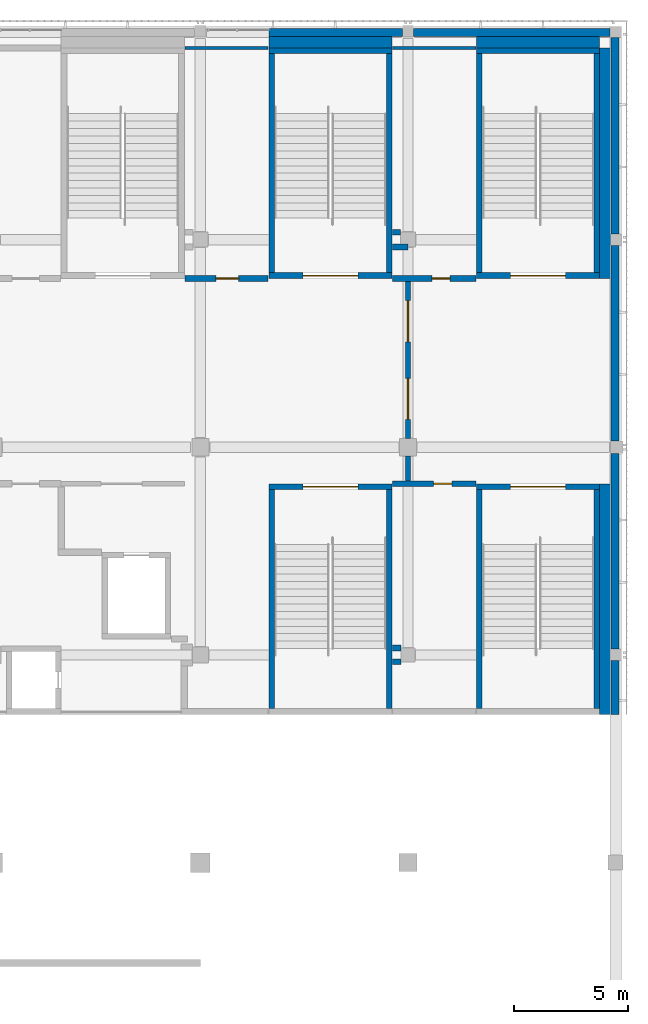
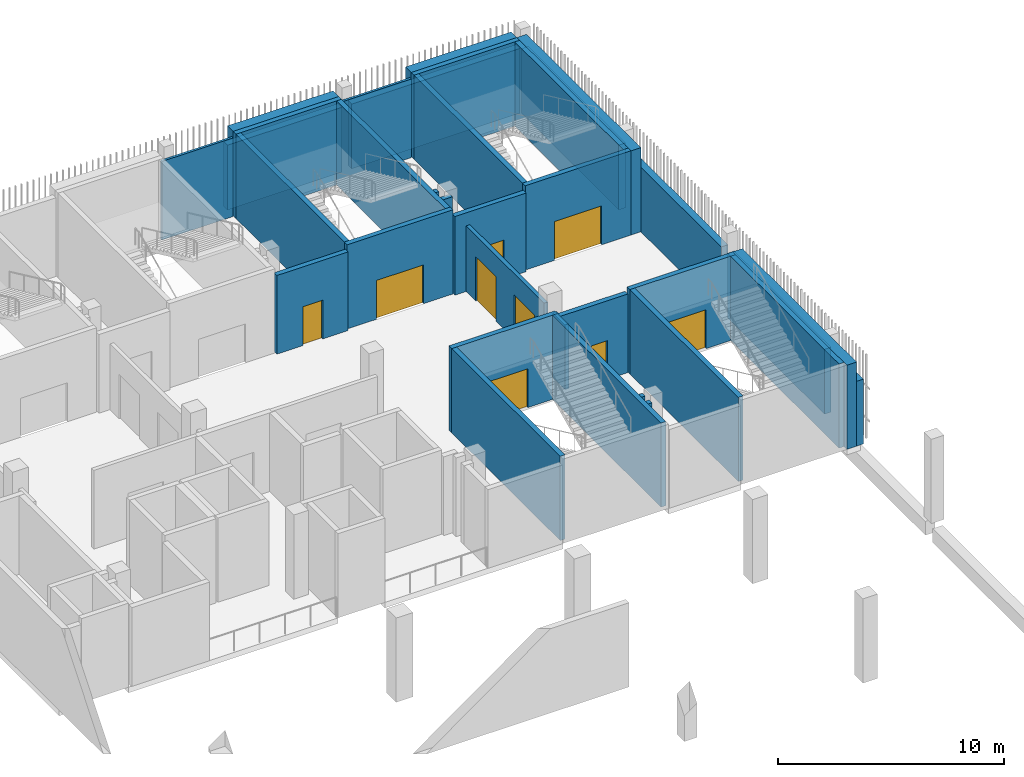
# One storey, part 68 of 104: 35 walls, 9 doors, 9 openings.
"""IFC4 building model written with IfcOpenShell, lengths in metres."""

from ifc_helpers import new_model, si_unit, direction, frame, frame_2d, origin, place, context, subcontext, project, spatial, rectangle, extrude, material, layer, layer_set, type_object, element, fill, save


model = new_model("IFC4")

# Units and contexts
model_context = context("Model", 3, precision=1e-05, world=origin(), true_north=direction((0.0, 1.0)))
body_context = subcontext(model_context, "Body", "Model", "MODEL_VIEW")
ifc_project = project(units=[si_unit("LENGTHUNIT", "METRE"), si_unit("AREAUNIT", "SQUARE_METRE"), si_unit("VOLUMEUNIT", "CUBIC_METRE"), si_unit("PLANEANGLEUNIT", "RADIAN"), si_unit("MASSUNIT", "GRAM", prefix="KILO")], contexts=[model_context])

# Site, building, storey
site_placement = place(None, origin())
site = spatial("IfcSite", under=ifc_project, at=site_placement, CompositionType="ELEMENT")
building_placement = place(site_placement, origin())
building = spatial("IfcBuilding", under=site, at=building_placement, Name="Shirokan Park Arena", CompositionType="ELEMENT")
storey_placement = place(building_placement, frame((0.0, 0.0, 10.919921875)))
storey = spatial("IfcBuildingStorey", under=building, at=storey_placement, Name="L02", CompositionType="ELEMENT", Elevation=10.919921875)

# Wall, opening, door
ifc_material_1 = material(Name="Plaster")
ifc_layer_1 = layer(ifc_material_1, 0.014892578125, Name="Plaster")
ifc_material_2 = material(Name="Concrete blockwork", Category="masonry")
ifc_layer_2 = layer(ifc_material_2, 0.219970703125, Name="Concrete blockwork 220")
ifc_layer_3 = layer(ifc_material_1, 0.014892578125, Name="Plaster")
ifc_layer_set_1 = layer_set([ifc_layer_1, ifc_layer_2, ifc_layer_3], Name="Plaster + Concrete blockwork 220")
wall_type_1 = type_object("IfcWallType", Name="Compartment wall 250", PredefinedType="SOLIDWALL", material=ifc_layer_set_1)
wall_1_placement = place(storey_placement, frame((126.72998046875, 98.39990234375, 0.0), z_axis=(0.0, 0.0, 1.0), x_axis=(1.0, 0.0, 0.0)))
wall_1 = element("IfcWall", 1, at=wall_1_placement, inside=storey, type_object=wall_type_1, Name="Compartment wall 250 L02", PredefinedType="SOLIDWALL", context=body_context, shape_type="SweptSolid", body=[
    extrude(rectangle(XDim=3.64013671875, YDim=0.25, at=frame_2d((1.820068359375, 0.0))), origin(), (0.0, 0.0, 1.0), 4.25),
])
opening_1_placement = place(wall_1_placement, frame((1.35009765625, 0.0, 0.0)))
opening_1 = element("IfcOpeningElement", 2, at=opening_1_placement, cuts=wall_1, Name="Opening D-2021", PredefinedType="OPENING", context=body_context, shape_type="SweptSolid", body=[
    extrude(rectangle(XDim=1.0, YDim=2.10009765625, at=frame_2d((0.5, 1.050048828125))), frame((0.0, 0.135009765625, 0.0), z_axis=(0.0, -1.0, 0.0), x_axis=(1.0, 0.0, 0.0)), (0.0, 0.0, 1.0), 0.27001953125),
])
ifc_material_3 = material(Name="Timber door set, fire resisting", Category="wood")
door_type_1 = type_object("IfcDoorType", Name="Door 1000 x 2100", OperationType="SINGLE_SWING_LEFT", PredefinedType="DOOR", material=ifc_material_3)
door_1_placement = place(opening_1_placement, origin())
door_1 = element("IfcDoor", 3, at=door_1_placement, inside=storey, type_object=door_type_1, Name="Door to Club Linen Store 2.31 D-2021", OperationType="SINGLE_SWING_LEFT", OverallHeight=2.10009765625, OverallWidth=1.0, PredefinedType="DOOR", context=body_context, shape_type="SweptSolid", body=[
    extrude(rectangle(XDim=1.0, YDim=2.10009765625, at=frame_2d((0.5, 1.050048828125))), frame((0.0, 0.02490234375, 0.0), z_axis=(0.0, -1.0, 0.0), x_axis=(1.0, 0.0, 0.0)), (0.0, 0.0, 1.0), 0.050048828125),
])
fill(opening_1, door_1)

# Wall
wall_2_placement = place(storey_placement, frame((135.830078125, 81.60009765625, 0.0), z_axis=(0.0, 0.0, 1.0), x_axis=(1.0, 0.0, 0.0)))
element("IfcWall", 4, at=wall_2_placement, inside=storey, type_object=wall_type_1, Name="Compartment wall 250 L02", PredefinedType="SOLIDWALL", context=body_context, shape_type="SweptSolid", body=[
    extrude(rectangle(XDim=0.369873046875, YDim=0.25, at=frame_2d((0.18505859375, 0.0))), origin(), (0.0, 0.0, 1.0), 4.25),
])

# Wall, opening, door
wall_3_placement = place(storey_placement, frame((135.830078125, 98.39990234375, 0.0), z_axis=(0.0, 0.0, 1.0), x_axis=(1.0, 0.0, 0.0)))
wall_3 = element("IfcWall", 5, at=wall_3_placement, inside=storey, type_object=wall_type_1, Name="Compartment wall 250 L02", PredefinedType="SOLIDWALL", context=body_context, shape_type="SweptSolid", body=[
    extrude(rectangle(XDim=3.639892578125, YDim=0.25, at=frame_2d((1.81982421875, 0.0))), origin(), (0.0, 0.0, 1.0), 4.25),
])
opening_2_placement = place(wall_3_placement, frame((1.719970703125, 0.0, 0.0)))
opening_2 = element("IfcOpeningElement", 6, at=opening_2_placement, cuts=wall_3, Name="Opening D-2020", PredefinedType="OPENING", context=body_context, shape_type="SweptSolid", body=[
    extrude(rectangle(XDim=0.800048828125, YDim=2.10009765625, at=frame_2d((0.39990234375, 1.050048828125))), frame((0.0, 0.135009765625, 0.0), z_axis=(0.0, -1.0, 0.0), x_axis=(1.0, 0.0, 0.0)), (0.0, 0.0, 1.0), 0.27001953125),
])
door_type_2 = type_object("IfcDoorType", Name="Cleaner store door 800 x 2100", OperationType="SINGLE_SWING_LEFT", PredefinedType="DOOR", material=ifc_material_3)
door_2_placement = place(opening_2_placement, origin())
door_2 = element("IfcDoor", 7, at=door_2_placement, inside=storey, type_object=door_type_2, Name="Door to Cleaner's Store 2.30 D-2020", OperationType="SINGLE_SWING_RIGHT", OverallHeight=2.10009765625, OverallWidth=0.800048828125, PredefinedType="DOOR", context=body_context, shape_type="SweptSolid", body=[
    extrude(rectangle(XDim=0.800048828125, YDim=2.10009765625, at=frame_2d((0.39990234375, 1.050048828125))), frame((0.0, 0.02490234375, 0.0), z_axis=(0.0, -1.0, 0.0), x_axis=(1.0, 0.0, 0.0)), (0.0, 0.0, 1.0), 0.050048828125),
])
fill(opening_2, door_2)

# Walls
wall_4_placement = place(storey_placement, frame((135.830078125, 99.77490234375, 0.0), z_axis=(0.0, 0.0, 1.0), x_axis=(1.0, 0.0, 0.0)))
element("IfcWall", 8, at=wall_4_placement, inside=storey, type_object=wall_type_1, Name="Compartment wall 250 L02", PredefinedType="SOLIDWALL", context=body_context, shape_type="SweptSolid", body=[
    extrude(rectangle(XDim=0.669921875, YDim=0.25, at=frame_2d((0.3349609375, 0.0))), origin(), (0.0, 0.0, 1.0), 4.25),
])
wall_5_placement = place(storey_placement, frame((136.175048828125, 100.425048828125, 0.0), z_axis=(0.0, 0.0, 1.0), x_axis=(-1.0, 0.0, 0.0)))
element("IfcWall", 9, at=wall_5_placement, inside=storey, type_object=wall_type_1, Name="Compartment wall 250 L02", PredefinedType="SOLIDWALL", context=body_context, shape_type="SweptSolid", body=[
    extrude(rectangle(XDim=0.344970703125, YDim=0.25, at=frame_2d((0.17236328125, 0.0))), origin(), (0.0, 0.0, 1.0), 4.25),
])
wall_6_placement = place(storey_placement, frame((136.199951171875, 82.199951171875, 0.0), z_axis=(0.0, 0.0, 1.0), x_axis=(-1.0, 0.0, 0.0)))
element("IfcWall", 10, at=wall_6_placement, inside=storey, type_object=wall_type_1, Name="Compartment wall 250 L02", PredefinedType="SOLIDWALL", context=body_context, shape_type="SweptSolid", body=[
    extrude(rectangle(XDim=0.369873046875, YDim=0.25, at=frame_2d((0.18505859375, 0.0))), origin(), (0.0, 0.0, 1.0), 4.25),
])

# Wall, opening, door
wall_7_placement = place(storey_placement, frame((135.830078125, 89.39990234375, 0.0), z_axis=(0.0, 0.0, 1.0), x_axis=(1.0, 0.0, 0.0)))
wall_7 = element("IfcWall", 11, at=wall_7_placement, inside=storey, type_object=wall_type_1, Name="Compartment wall 250 L02", PredefinedType="SOLIDWALL", context=body_context, shape_type="SweptSolid", body=[
    extrude(rectangle(XDim=3.639892578125, YDim=0.25, at=frame_2d((1.81982421875, 0.0))), origin(), (0.0, 0.0, 1.0), 4.25),
])
opening_3_placement = place(wall_7_placement, frame((1.7900390625, 0.0, 0.0)))
opening_3 = element("IfcOpeningElement", 12, at=opening_3_placement, cuts=wall_7, Name="Opening D-2017", PredefinedType="OPENING", context=body_context, shape_type="SweptSolid", body=[
    extrude(rectangle(XDim=0.800048828125, YDim=2.10009765625, at=frame_2d((0.39990234375, 1.050048828125))), frame((0.0, 0.135009765625, 0.0), z_axis=(0.0, -1.0, 0.0), x_axis=(1.0, 0.0, 0.0)), (0.0, 0.0, 1.0), 0.27001953125),
])
door_3_placement = place(opening_3_placement, origin())
door_3 = element("IfcDoor", 13, at=door_3_placement, inside=storey, type_object=door_type_2, Name="Door to Cleaner's Store 2.37 D-2017", OperationType="SINGLE_SWING_RIGHT", OverallHeight=2.10009765625, OverallWidth=0.800048828125, PredefinedType="DOOR", context=body_context, shape_type="SweptSolid", body=[
    extrude(rectangle(XDim=0.800048828125, YDim=2.10009765625, at=frame_2d((0.39990234375, 1.050048828125))), frame((0.0, 0.02490234375, 0.0), z_axis=(0.0, -1.0, 0.0), x_axis=(1.0, 0.0, 0.0)), (0.0, 0.0, 1.0), 0.050048828125),
])
fill(opening_3, door_3)

# Wall
ifc_material_4 = material(Name="Gypsum board")
ifc_layer_4 = layer(ifc_material_4, 0.02490234375, Name="Gypsum board, two layers")
ifc_material_5 = material(Name="Mineral wool insulation")
ifc_layer_5 = layer(ifc_material_5, 0.14990234375, Name="Mineral wool insulation")
ifc_layer_6 = layer(ifc_material_4, 0.02490234375, Name="Gypsum board, two layers")
ifc_layer_set_2 = layer_set([ifc_layer_4, ifc_layer_5, ifc_layer_6], Name="Gypsum board, two layers + Mineral wool insulation")
wall_type_2 = type_object("IfcWallType", Name="Corridor wall 200", PredefinedType="PARTITIONING", material=ifc_layer_set_2)
wall_8_placement = place(storey_placement, frame((136.5, 89.52490234375, 0.0), z_axis=(0.0, 0.0, 1.0), x_axis=(0.0, 1.0, 0.0)))
element("IfcWall", 14, at=wall_8_placement, inside=storey, type_object=wall_type_2, Name="Corridor wall 200 L02", PredefinedType="PARTITIONING", context=body_context, shape_type="SweptSolid", body=[
    extrude(rectangle(XDim=1.10009765625, YDim=0.199951171875, at=frame_2d((0.550048828125, 0.0))), origin(), (0.0, 0.0, 1.0), 3.5),
])

# Wall, openings, doors
wall_9_placement = place(storey_placement, frame((136.5, 91.375, 0.0), z_axis=(0.0, 0.0, 1.0), x_axis=(0.0, 1.0, 0.0)))
wall_9 = element("IfcWall", 15, at=wall_9_placement, inside=storey, type_object=wall_type_2, Name="Corridor wall 200 L02", PredefinedType="PARTITIONING", context=body_context, shape_type="SweptSolid", body=[
    extrude(rectangle(XDim=6.89990234375, YDim=0.199951171875, at=frame_2d((3.449951171875, 0.0))), origin(), (0.0, 0.0, 1.0), 3.550048828125),
])
opening_4_placement = place(wall_9_placement, frame((0.85009765625, 0.0, 0.0)))
opening_4 = element("IfcOpeningElement", 16, at=opening_4_placement, cuts=wall_9, Name="Opening D-2063", PredefinedType="OPENING", context=body_context, shape_type="SweptSolid", body=[
    extrude(rectangle(XDim=1.800048828125, YDim=2.39990234375, at=frame_2d((0.89990234375, 1.199951171875))), frame((0.0, 0.10986328125, 0.0), z_axis=(0.0, -1.0, 0.0), x_axis=(1.0, 0.0, 0.0)), (0.0, 0.0, 1.0), 0.219970703125),
])
opening_5_placement = place(wall_9_placement, frame((4.25, 0.0, 0.0)))
opening_5 = element("IfcOpeningElement", 17, at=opening_5_placement, cuts=wall_9, Name="Opening D-2064", PredefinedType="OPENING", context=body_context, shape_type="SweptSolid", body=[
    extrude(rectangle(XDim=1.800048828125, YDim=2.39990234375, at=frame_2d((0.89990234375, 1.199951171875))), frame((0.0, 0.10986328125, 0.0), z_axis=(0.0, -1.0, 0.0), x_axis=(1.0, 0.0, 0.0)), (0.0, 0.0, 1.0), 0.219970703125),
])
ifc_material_6 = material(Name="Glazed steel door set, fire resisting", Category="steel")
door_type_3 = type_object("IfcDoorType", Name="Lift lobby door 1800 x 2400", OperationType="DOUBLE_DOOR_SINGLE_SWING", PredefinedType="DOOR", material=ifc_material_6)
door_4_placement = place(opening_4_placement, origin())
door_4 = element("IfcDoor", 18, at=door_4_placement, inside=storey, type_object=door_type_3, Name="Door between Club Gallery 3.2.1 and Club Foyer 3.2.2 D-2063", OperationType="DOUBLE_DOOR_SINGLE_SWING", OverallHeight=2.39990234375, OverallWidth=1.800048828125, PredefinedType="DOOR", context=body_context, shape_type="SweptSolid", body=[
    extrude(rectangle(XDim=1.800048828125, YDim=2.39990234375, at=frame_2d((0.89990234375, 1.199951171875))), frame((0.0, 0.02490234375, 0.0), z_axis=(0.0, -1.0, 0.0), x_axis=(1.0, 0.0, 0.0)), (0.0, 0.0, 1.0), 0.050048828125),
])
fill(opening_4, door_4)
door_5_placement = place(opening_5_placement, origin())
door_5 = element("IfcDoor", 19, at=door_5_placement, inside=storey, type_object=door_type_3, Name="Door between Club Gallery 3.2.1 and Club Foyer 3.2.2 D-2064", OperationType="DOUBLE_DOOR_SINGLE_SWING", OverallHeight=2.39990234375, OverallWidth=1.800048828125, PredefinedType="DOOR", context=body_context, shape_type="SweptSolid", body=[
    extrude(rectangle(XDim=1.800048828125, YDim=2.39990234375, at=frame_2d((0.89990234375, 1.199951171875))), frame((0.0, 0.02490234375, 0.0), z_axis=(0.0, -1.0, 0.0), x_axis=(1.0, 0.0, 0.0)), (0.0, 0.0, 1.0), 0.050048828125),
])
fill(opening_5, door_5)

# Walls
ifc_material_7 = material(Name="Cedar cladding")
ifc_layer_7 = layer(ifc_material_7, 0.030029296875, Name="Cedar cladding")
ifc_layer_8 = layer(ifc_material_5, 0.10009765625, Name="Mineral wool insulation")
ifc_material_8 = material(Name="Concrete C35", Category="concrete")
ifc_layer_9 = layer(ifc_material_8, 0.199951171875, Name="Concrete C35")
ifc_material_9 = material(Name="Gypsum board lining")
ifc_layer_10 = layer(ifc_material_9, 0.02001953125, Name="Gypsum board lining")
ifc_layer_set_3 = layer_set([ifc_layer_7, ifc_layer_8, ifc_layer_9, ifc_layer_10], Name="Cedar cladding + Mineral wool insulation + Concrete C35 + Gypsum board lining")
wall_type_3 = type_object("IfcWallType", Name="Insulated tower wall 350", PredefinedType="SOLIDWALL", material=ifc_layer_set_3)
wall_10_placement = place(storey_placement, frame((145.574951171875, 79.300048828125, 0.0), z_axis=(0.0, 0.0, 1.0), x_axis=(0.0, 1.0, 0.0)))
element("IfcWall", 20, at=wall_10_placement, inside=storey, type_object=wall_type_3, Name="East facade wall bay 9 L02", PredefinedType="SOLIDWALL", context=body_context, shape_type="SweptSolid", body=[
    extrude(rectangle(XDim=2.349853515625, YDim=0.35009765625, at=frame_2d((1.1748046875, 0.0))), origin(), (0.0, 0.0, 1.0), 3.5),
])
for number, where, z_axis, x_axis, name in (
    (21, (145.574951171875, 82.14990234375, 0.0), (0.0, 0.0, 1.0), (0.0, 1.0, 0.0), "East facade wall bay 10 L02"),
    (22, (145.574951171875, 91.27490234375, 0.0), (0.0, 0.0, 1.0), (0.0, 1.0, 0.0), "East facade wall bay 11 L02"),
):
    element("IfcWall", number, at=place(storey_placement, frame(where, z_axis=z_axis, x_axis=x_axis)), inside=storey, type_object=wall_type_3, Name=name, PredefinedType="SOLIDWALL", context=body_context, shape_type="SweptSolid", body=[
        extrude(rectangle(XDim=8.5751953125, YDim=0.35009765625, at=frame_2d((4.28759765625, 0.0))), origin(), (0.0, 0.0, 1.0), 3.5),
    ])
wall_11_placement = place(storey_placement, frame((145.574951171875, 100.35009765625, 0.0), z_axis=(0.0, 0.0, 1.0), x_axis=(0.0, 1.0, 0.0)))
element("IfcWall", 23, at=wall_11_placement, inside=storey, type_object=wall_type_3, Name="East facade wall bay 12 L02", PredefinedType="SOLIDWALL", context=body_context, shape_type="SweptSolid", body=[
    extrude(rectangle(XDim=8.599853515625, YDim=0.35009765625, at=frame_2d((4.2998046875, 0.0))), origin(), (0.0, 0.0, 1.0), 3.5),
])
wall_12_placement = place(storey_placement, frame((145.35009765625, 109.175048828125, 0.0), z_axis=(0.0, 0.0, 1.0), x_axis=(-1.0, 0.0, 0.0)))
element("IfcWall", 24, at=wall_12_placement, inside=storey, type_object=wall_type_3, Name="North facade wall bay 1 L02", PredefinedType="SOLIDWALL", context=body_context, shape_type="SweptSolid", body=[
    extrude(rectangle(XDim=8.60009765625, YDim=0.35009765625, at=frame_2d((4.300048828125, 0.0))), origin(), (0.0, 0.0, 1.0), 3.5),
])
wall_13_placement = place(storey_placement, frame((136.25, 109.175048828125, 0.0), z_axis=(0.0, 0.0, 1.0), x_axis=(-1.0, 0.0, 0.0)))
element("IfcWall", 25, at=wall_13_placement, inside=storey, type_object=wall_type_3, Name="North facade wall bay 2 L02", PredefinedType="SOLIDWALL", context=body_context, shape_type="SweptSolid", body=[
    extrude(rectangle(XDim=5.85009765625, YDim=0.35009765625, at=frame_2d((2.925048828125, 0.0))), origin(), (0.0, 0.0, 1.0), 3.5),
])

# Wall, opening, door
ifc_material_10 = material(Name="Concrete C40/50", Category="concrete")
ifc_layer_11 = layer(ifc_material_10, 0.25)
ifc_layer_set_4 = layer_set([ifc_layer_11], Name="Concrete C40/50 250 mm")
wall_type_4 = type_object("IfcWallType", Name="RC shear wall 250", PredefinedType="SHEAR", material=ifc_layer_set_4)
wall_14_placement = place(storey_placement, frame((144.89990234375, 98.52490234375, 0.0), z_axis=(0.0, 0.0, 1.0), x_axis=(-1.0, 0.0, 0.0)))
wall_14 = element("IfcWall", 26, at=wall_14_placement, inside=storey, type_object=wall_type_4, Name="Shaft wall Exit Stair 3.A S L02", PredefinedType="SHEAR", context=body_context, shape_type="SweptSolid", body=[
    extrude(rectangle(XDim=5.39990234375, YDim=0.25, at=frame_2d((2.699951171875, 0.0))), origin(), (0.0, 0.0, 1.0), 4.550048828125),
])
opening_6_placement = place(wall_14_placement, frame((1.5, 0.0, 0.0)))
opening_6 = element("IfcOpeningElement", 27, at=opening_6_placement, cuts=wall_14, Name="Opening D-2106", PredefinedType="OPENING", context=body_context, shape_type="SweptSolid", body=[
    extrude(rectangle(XDim=2.39990234375, YDim=2.10009765625, at=frame_2d((1.199951171875, 1.050048828125))), frame((0.0, 0.135009765625, 0.0), z_axis=(0.0, -1.0, 0.0), x_axis=(1.0, 0.0, 0.0)), (0.0, 0.0, 1.0), 0.27001953125),
])
ifc_material_11 = material(Name="Steel door set, fire resisting", Category="steel")
door_type_4 = type_object("IfcDoorType", Name="Stair door 2400 x 2100", OperationType="DOUBLE_DOOR_SINGLE_SWING", PredefinedType="DOOR", material=ifc_material_11)
door_6_placement = place(opening_6_placement, origin())
door_6 = element("IfcDoor", 28, at=door_6_placement, inside=storey, type_object=door_type_4, Name="Stair door Exit Stair 3.A D-2106", OperationType="DOUBLE_DOOR_SINGLE_SWING", OverallHeight=2.10009765625, OverallWidth=2.39990234375, PredefinedType="DOOR", context=body_context, shape_type="SweptSolid", body=[
    extrude(rectangle(XDim=2.39990234375, YDim=2.10009765625, at=frame_2d((1.199951171875, 1.050048828125))), frame((0.0, 0.02490234375, 0.0), z_axis=(0.0, -1.0, 0.0), x_axis=(1.0, 0.0, 0.0)), (0.0, 0.0, 1.0), 0.050048828125),
])
fill(opening_6, door_6)

# Walls
wall_15_placement = place(storey_placement, frame((144.89990234375, 108.375, 0.0), z_axis=(0.0, 0.0, 1.0), x_axis=(-1.0, 0.0, 0.0)))
element("IfcWall", 29, at=wall_15_placement, inside=storey, type_object=wall_type_4, Name="Shaft wall Exit Stair 3.A N L02", PredefinedType="SHEAR", context=body_context, shape_type="SweptSolid", body=[
    extrude(rectangle(XDim=5.39990234375, YDim=0.25, at=frame_2d((2.699951171875, 0.0))), origin(), (0.0, 0.0, 1.0), 4.550048828125),
])
for number, where, z_axis, x_axis, name in (
    (30, (139.625, 108.25, 0.0), (0.0, 0.0, 1.0), (0.0, -1.0, 0.0), "Shaft wall Exit Stair 3.A W L02"),
    (31, (144.77490234375, 108.25, 0.0), (0.0, 0.0, 1.0), (0.0, -1.0, 0.0), "Shaft wall Exit Stair 3.A E L02"),
):
    element("IfcWall", number, at=place(storey_placement, frame(where, z_axis=z_axis, x_axis=x_axis)), inside=storey, type_object=wall_type_4, Name=name, PredefinedType="SHEAR", context=body_context, shape_type="SweptSolid", body=[
        extrude(rectangle(XDim=9.60009765625, YDim=0.25, at=frame_2d((4.800048828125, 0.0))), origin(), (0.0, 0.0, 1.0), 4.550048828125),
    ])

# Wall, opening, door
wall_16_placement = place(storey_placement, frame((135.800048828125, 98.52490234375, 0.0), z_axis=(0.0, 0.0, 1.0), x_axis=(-1.0, 0.0, 0.0)))
wall_16 = element("IfcWall", 32, at=wall_16_placement, inside=storey, type_object=wall_type_4, Name="Shaft wall Exit Stair 3.B S L02", PredefinedType="SHEAR", context=body_context, shape_type="SweptSolid", body=[
    extrude(rectangle(XDim=5.400146484375, YDim=0.25, at=frame_2d((2.7001953125, 0.0))), origin(), (0.0, 0.0, 1.0), 4.550048828125),
])
opening_7_placement = place(wall_16_placement, frame((1.5, 0.0, 0.0)))
opening_7 = element("IfcOpeningElement", 33, at=opening_7_placement, cuts=wall_16, Name="Opening D-2107", PredefinedType="OPENING", context=body_context, shape_type="SweptSolid", body=[
    extrude(rectangle(XDim=2.39990234375, YDim=2.10009765625, at=frame_2d((1.199951171875, 1.050048828125))), frame((0.0, 0.135009765625, 0.0), z_axis=(0.0, -1.0, 0.0), x_axis=(1.0, 0.0, 0.0)), (0.0, 0.0, 1.0), 0.27001953125),
])
door_7_placement = place(opening_7_placement, origin())
door_7 = element("IfcDoor", 34, at=door_7_placement, inside=storey, type_object=door_type_4, Name="Stair door Exit Stair 3.B D-2107", OperationType="DOUBLE_DOOR_SINGLE_SWING", OverallHeight=2.10009765625, OverallWidth=2.39990234375, PredefinedType="DOOR", context=body_context, shape_type="SweptSolid", body=[
    extrude(rectangle(XDim=2.39990234375, YDim=2.10009765625, at=frame_2d((1.199951171875, 1.050048828125))), frame((0.0, 0.02490234375, 0.0), z_axis=(0.0, -1.0, 0.0), x_axis=(1.0, 0.0, 0.0)), (0.0, 0.0, 1.0), 0.050048828125),
])
fill(opening_7, door_7)

# Walls
wall_17_placement = place(storey_placement, frame((135.800048828125, 108.375, 0.0), z_axis=(0.0, 0.0, 1.0), x_axis=(-1.0, 0.0, 0.0)))
element("IfcWall", 35, at=wall_17_placement, inside=storey, type_object=wall_type_4, Name="Shaft wall Exit Stair 3.B N L02", PredefinedType="SHEAR", context=body_context, shape_type="SweptSolid", body=[
    extrude(rectangle(XDim=5.400146484375, YDim=0.25, at=frame_2d((2.7001953125, 0.0))), origin(), (0.0, 0.0, 1.0), 4.550048828125),
])
for number, where, z_axis, x_axis, name in (
    (36, (130.52490234375, 108.25, 0.0), (0.0, 0.0, 1.0), (0.0, -1.0, 0.0), "Shaft wall Exit Stair 3.B W L02"),
    (37, (135.675048828125, 108.25, 0.0), (0.0, 0.0, 1.0), (0.0, -1.0, 0.0), "Shaft wall Exit Stair 3.B E L02"),
):
    element("IfcWall", number, at=place(storey_placement, frame(where, z_axis=z_axis, x_axis=x_axis)), inside=storey, type_object=wall_type_4, Name=name, PredefinedType="SHEAR", context=body_context, shape_type="SweptSolid", body=[
        extrude(rectangle(XDim=9.60009765625, YDim=0.25, at=frame_2d((4.800048828125, 0.0))), origin(), (0.0, 0.0, 1.0), 4.550048828125),
    ])

# Wall, opening, door
wall_18_placement = place(storey_placement, frame((144.89990234375, 89.27490234375, 0.0), z_axis=(0.0, 0.0, 1.0), x_axis=(-1.0, 0.0, 0.0)))
wall_18 = element("IfcWall", 38, at=wall_18_placement, inside=storey, type_object=wall_type_4, Name="Shaft wall Exit Stair 3.E N L02", PredefinedType="SHEAR", context=body_context, shape_type="SweptSolid", body=[
    extrude(rectangle(XDim=5.39990234375, YDim=0.25, at=frame_2d((2.699951171875, 0.0))), origin(), (0.0, 0.0, 1.0), 4.550048828125),
])
opening_8_placement = place(wall_18_placement, frame((1.5, 0.0, 0.0)))
opening_8 = element("IfcOpeningElement", 39, at=opening_8_placement, cuts=wall_18, Name="Opening D-2110", PredefinedType="OPENING", context=body_context, shape_type="SweptSolid", body=[
    extrude(rectangle(XDim=2.39990234375, YDim=2.10009765625, at=frame_2d((1.199951171875, 1.050048828125))), frame((0.0, 0.135009765625, 0.0), z_axis=(0.0, -1.0, 0.0), x_axis=(1.0, 0.0, 0.0)), (0.0, 0.0, 1.0), 0.27001953125),
])
door_8_placement = place(opening_8_placement, origin())
door_8 = element("IfcDoor", 40, at=door_8_placement, inside=storey, type_object=door_type_4, Name="Stair door Exit Stair 3.E D-2110", OperationType="DOUBLE_DOOR_SINGLE_SWING", OverallHeight=2.10009765625, OverallWidth=2.39990234375, PredefinedType="DOOR", context=body_context, shape_type="SweptSolid", body=[
    extrude(rectangle(XDim=2.39990234375, YDim=2.10009765625, at=frame_2d((1.199951171875, 1.050048828125))), frame((0.0, 0.02490234375, 0.0), z_axis=(0.0, -1.0, 0.0), x_axis=(1.0, 0.0, 0.0)), (0.0, 0.0, 1.0), 0.050048828125),
])
fill(opening_8, door_8)

# Walls
for number, where, z_axis, x_axis, name in (
    (41, (139.625, 89.14990234375, 0.0), (0.0, 0.0, 1.0), (0.0, -1.0, 0.0), "Shaft wall Exit Stair 3.E W L02"),
    (42, (144.77490234375, 89.14990234375, 0.0), (0.0, 0.0, 1.0), (0.0, -1.0, 0.0), "Shaft wall Exit Stair 3.E E L02"),
):
    element("IfcWall", number, at=place(storey_placement, frame(where, z_axis=z_axis, x_axis=x_axis)), inside=storey, type_object=wall_type_4, Name=name, PredefinedType="SHEAR", context=body_context, shape_type="SweptSolid", body=[
        extrude(rectangle(XDim=9.599853515625, YDim=0.25, at=frame_2d((4.7998046875, 0.0))), origin(), (0.0, 0.0, 1.0), 4.550048828125),
    ])

# Wall, opening, door
wall_19_placement = place(storey_placement, frame((135.800048828125, 89.27490234375, 0.0), z_axis=(0.0, 0.0, 1.0), x_axis=(-1.0, 0.0, 0.0)))
wall_19 = element("IfcWall", 43, at=wall_19_placement, inside=storey, type_object=wall_type_4, Name="Shaft wall Exit Stair 3.F N L02", PredefinedType="SHEAR", context=body_context, shape_type="SweptSolid", body=[
    extrude(rectangle(XDim=5.400146484375, YDim=0.25, at=frame_2d((2.7001953125, 0.0))), origin(), (0.0, 0.0, 1.0), 4.550048828125),
])
opening_9_placement = place(wall_19_placement, frame((1.5, 0.0, 0.0)))
opening_9 = element("IfcOpeningElement", 44, at=opening_9_placement, cuts=wall_19, Name="Opening D-2111", PredefinedType="OPENING", context=body_context, shape_type="SweptSolid", body=[
    extrude(rectangle(XDim=2.39990234375, YDim=2.10009765625, at=frame_2d((1.199951171875, 1.050048828125))), frame((0.0, 0.135009765625, 0.0), z_axis=(0.0, -1.0, 0.0), x_axis=(1.0, 0.0, 0.0)), (0.0, 0.0, 1.0), 0.27001953125),
])
door_9_placement = place(opening_9_placement, origin())
door_9 = element("IfcDoor", 45, at=door_9_placement, inside=storey, type_object=door_type_4, Name="Stair door Exit Stair 3.F D-2111", OperationType="DOUBLE_DOOR_SINGLE_SWING", OverallHeight=2.10009765625, OverallWidth=2.39990234375, PredefinedType="DOOR", context=body_context, shape_type="SweptSolid", body=[
    extrude(rectangle(XDim=2.39990234375, YDim=2.10009765625, at=frame_2d((1.199951171875, 1.050048828125))), frame((0.0, 0.02490234375, 0.0), z_axis=(0.0, -1.0, 0.0), x_axis=(1.0, 0.0, 0.0)), (0.0, 0.0, 1.0), 0.050048828125),
])
fill(opening_9, door_9)

# Walls
for number, where, z_axis, x_axis, name in (
    (46, (130.52490234375, 89.14990234375, 0.0), (0.0, 0.0, 1.0), (0.0, -1.0, 0.0), "Shaft wall Exit Stair 3.F W L02"),
    (47, (135.675048828125, 89.14990234375, 0.0), (0.0, 0.0, 1.0), (0.0, -1.0, 0.0), "Shaft wall Exit Stair 3.F E L02"),
):
    element("IfcWall", number, at=place(storey_placement, frame(where, z_axis=z_axis, x_axis=x_axis)), inside=storey, type_object=wall_type_4, Name=name, PredefinedType="SHEAR", context=body_context, shape_type="SweptSolid", body=[
        extrude(rectangle(XDim=9.599853515625, YDim=0.25, at=frame_2d((4.7998046875, 0.0))), origin(), (0.0, 0.0, 1.0), 4.550048828125),
    ])
ifc_layer_12 = layer(ifc_material_8, 0.5)
ifc_layer_set_5 = layer_set([ifc_layer_12], Name="Concrete C35 500 mm")
wall_type_5 = type_object("IfcWallType", Name="Shaft infill wall 500", PredefinedType="SOLIDWALL", material=ifc_layer_set_5)
wall_20_placement = place(storey_placement, frame((139.5, 108.75, 0.0), z_axis=(0.0, 0.0, 1.0), x_axis=(1.0, 0.0, 0.0)))
element("IfcWall", 48, at=wall_20_placement, inside=storey, type_object=wall_type_5, Name="Shaft infill wall L02", PredefinedType="SOLIDWALL", context=body_context, shape_type="SweptSolid", body=[
    extrude(rectangle(XDim=5.39990234375, YDim=0.5, at=frame_2d((2.699951171875, 0.0))), origin(), (0.0, 0.0, 1.0), 4.550048828125),
])
wall_21_placement = place(storey_placement, frame((145.14990234375, 98.39990234375, 0.0), z_axis=(0.0, 0.0, 1.0), x_axis=(0.0, 1.0, 0.0)))
element("IfcWall", 49, at=wall_21_placement, inside=storey, type_object=wall_type_5, Name="Shaft infill wall L02", PredefinedType="SOLIDWALL", context=body_context, shape_type="SweptSolid", body=[
    extrude(rectangle(XDim=10.10009765625, YDim=0.5, at=frame_2d((5.050048828125, 0.0))), origin(), (0.0, 0.0, 1.0), 4.550048828125),
])
wall_22_placement = place(storey_placement, frame((130.39990234375, 108.75, 0.0), z_axis=(0.0, 0.0, 1.0), x_axis=(1.0, 0.0, 0.0)))
element("IfcWall", 50, at=wall_22_placement, inside=storey, type_object=wall_type_5, Name="Shaft infill wall L02", PredefinedType="SOLIDWALL", context=body_context, shape_type="SweptSolid", body=[
    extrude(rectangle(XDim=5.400146484375, YDim=0.5, at=frame_2d((2.7001953125, 0.0))), origin(), (0.0, 0.0, 1.0), 4.550048828125),
])
wall_23_placement = place(storey_placement, frame((145.14990234375, 79.300048828125, 0.0), z_axis=(0.0, 0.0, 1.0), x_axis=(0.0, 1.0, 0.0)))
element("IfcWall", 51, at=wall_23_placement, inside=storey, type_object=wall_type_5, Name="Shaft infill wall L02", PredefinedType="SOLIDWALL", context=body_context, shape_type="SweptSolid", body=[
    extrude(rectangle(XDim=10.099853515625, YDim=0.5, at=frame_2d((5.0498046875, 0.0))), origin(), (0.0, 0.0, 1.0), 4.550048828125),
])
ifc_material_12 = material(Name="Ceramic tile")
ifc_layer_13 = layer(ifc_material_12, 0.010009765625, Name="Ceramic tile")
ifc_material_13 = material(Name="Cement board")
ifc_layer_14 = layer(ifc_material_13, 0.012451171875, Name="Cement board")
ifc_layer_15 = layer(ifc_material_5, 0.080078125, Name="Mineral wool insulation")
ifc_layer_16 = layer(ifc_material_13, 0.012451171875, Name="Cement board")
ifc_layer_17 = layer(ifc_material_12, 0.010009765625, Name="Ceramic tile")
ifc_layer_set_6 = layer_set([ifc_layer_13, ifc_layer_14, ifc_layer_15, ifc_layer_16, ifc_layer_17], Name="Ceramic tile + Cement board + Mineral wool insulation")
wall_type_6 = type_object("IfcWallType", Name="Wet-area wall 125", PredefinedType="PARTITIONING", material=ifc_layer_set_6)
wall_24_placement = place(storey_placement, frame((126.72998046875, 108.5, 0.0), z_axis=(0.0, 0.0, 1.0), x_axis=(1.0, 0.0, 0.0)))
element("IfcWall", 52, at=wall_24_placement, inside=storey, type_object=wall_type_6, Name="Wet-area wall 125 L02", PredefinedType="PARTITIONING", context=body_context, shape_type="SweptSolid", body=[
    extrude(rectangle(XDim=3.64013671875, YDim=0.125, at=frame_2d((1.820068359375, 0.0))), origin(), (0.0, 0.0, 1.0), 4.25),
])
wall_25_placement = place(storey_placement, frame((135.830078125, 108.5, 0.0), z_axis=(0.0, 0.0, 1.0), x_axis=(1.0, 0.0, 0.0)))
element("IfcWall", 53, at=wall_25_placement, inside=storey, type_object=wall_type_6, Name="Wet-area wall 125 L02", PredefinedType="PARTITIONING", context=body_context, shape_type="SweptSolid", body=[
    extrude(rectangle(XDim=3.639892578125, YDim=0.125, at=frame_2d((1.81982421875, 0.0))), origin(), (0.0, 0.0, 1.0), 4.25),
])

save(model, "model.ifc")
